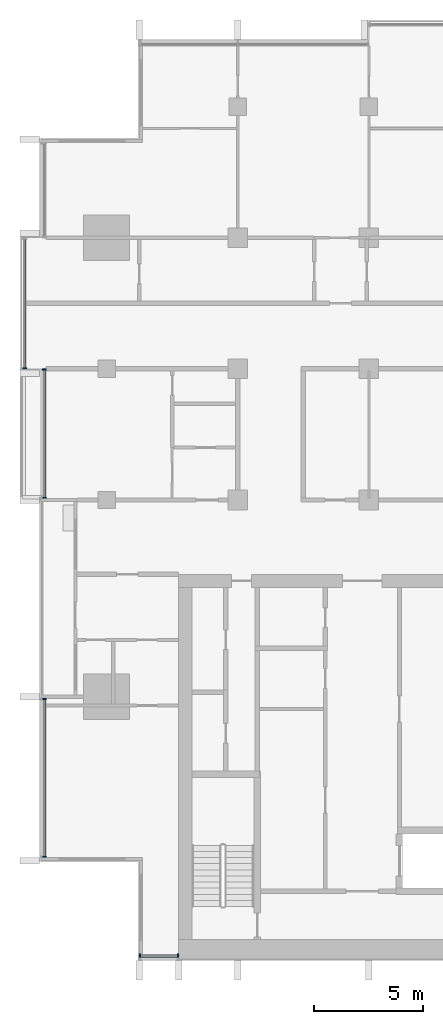
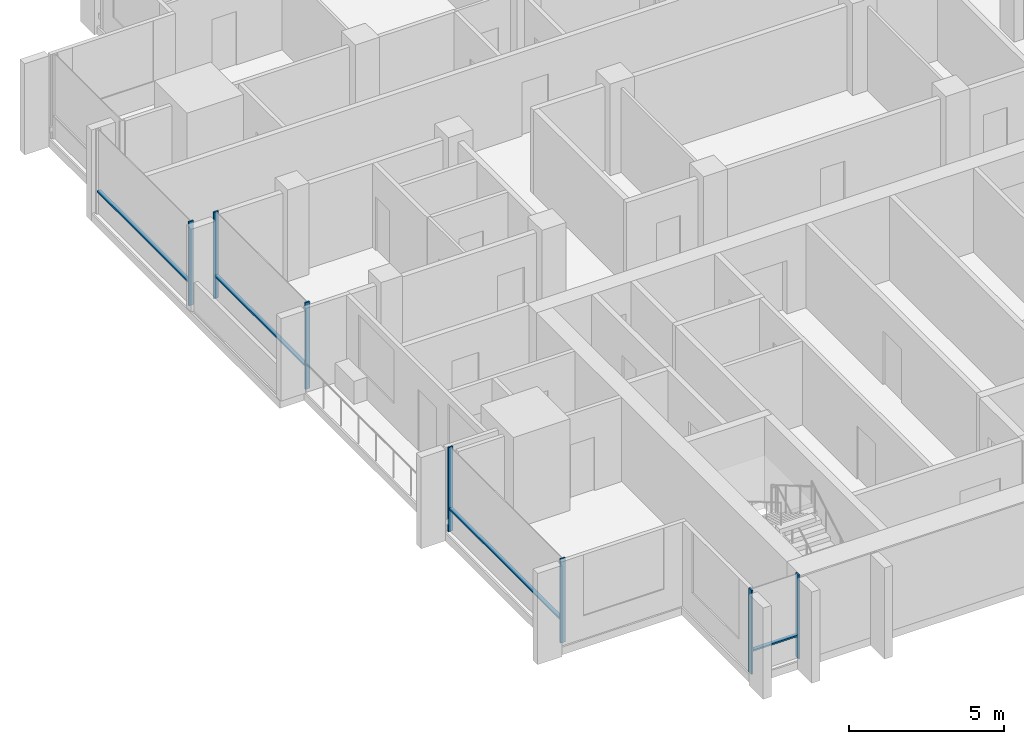
# One storey, part 2 of 16: 11 members, 4 elements without a shape of their own.
"""IFC4 building model written with IfcOpenShell, lengths in metres."""

from ifc_helpers import new_model, si_unit, direction, frame, origin, origin_2d, place, context, subcontext, project, spatial, rectangle, extrude, material, material_profile, profile_set, type_object, element, aggregate, save


model = new_model("IFC4")

# Units and contexts
model_context = context("Model", 3, precision=1e-05, world=origin(), true_north=direction((0.0, 1.0)))
body_context = subcontext(model_context, "Body", "Model", "MODEL_VIEW")
ifc_project = project(units=[si_unit("LENGTHUNIT", "METRE"), si_unit("AREAUNIT", "SQUARE_METRE"), si_unit("VOLUMEUNIT", "CUBIC_METRE"), si_unit("PLANEANGLEUNIT", "RADIAN"), si_unit("MASSUNIT", "GRAM", prefix="KILO")], contexts=[model_context])

# Site, building, storey
site_placement = place(None, origin())
site = spatial("IfcSite", under=ifc_project, at=site_placement, CompositionType="ELEMENT")
building_placement = place(site_placement, origin())
building = spatial("IfcBuilding", under=site, at=building_placement, Name="Finial Court Residences", CompositionType="ELEMENT")
storey_placement = place(building_placement, frame((0.0, 0.0, 230.300048828125)))
storey = spatial("IfcBuildingStorey", under=building, at=storey_placement, Name="L58", CompositionType="ELEMENT", Elevation=230.300048828125)

# Curtain wall, members
ifc_material = material(Name="Bronze anodised aluminium", Category="aluminium")
curtain_wall_type = type_object("IfcCurtainWallType", Name="Unitised curtain wall, upper zones", PredefinedType="NOTDEFINED", material=ifc_material)
curtain_wall_1_placement = place(storey_placement, origin())
curtain_wall_1 = element("IfcCurtainWall", 1, at=curtain_wall_1_placement, inside=storey, type_object=curtain_wall_type, Name="E-L58-CW-S7", PredefinedType="NOTDEFINED")
ifc_material_profile_1 = material_profile(ifc_material, rectangle(XDim=0.175048828125, YDim=0.06005859375, at=origin_2d()), Name="CW2 mullion 60 x 175")
ifc_profile_set_1 = profile_set([ifc_material_profile_1], Name="Bronze anodised aluminium")
member_type_1 = type_object("IfcMemberType", Name="CW2 mullion 60 x 175", PredefinedType="MULLION", material=ifc_profile_set_1)
member_1_placement = place(storey_placement, frame((-14.969970703125, -25.35009765625, 0.0), z_axis=(0.0, 0.0, 1.0), x_axis=(0.0, 1.0, 0.0)))
member_1 = element("IfcMember", 2, at=member_1_placement, type_object=member_type_1, Name="CW2 mullion 1", PredefinedType="MULLION", context=body_context, shape_type="SweptSolid", body=[
    extrude(rectangle(XDim=0.175048828125, YDim=0.06005859375, at=origin_2d()), origin(), (0.0, 0.0, 1.0), 3.300048828125),
])
member_2_placement = place(storey_placement, frame((-13.22998046875, -25.35009765625, 0.0), z_axis=(0.0, 0.0, 1.0), x_axis=(0.0, 1.0, 0.0)))
member_2 = element("IfcMember", 3, at=member_2_placement, type_object=member_type_1, Name="CW2 mullion 2", PredefinedType="MULLION", context=body_context, shape_type="SweptSolid", body=[
    extrude(rectangle(XDim=0.175048828125, YDim=0.06005859375, at=origin_2d()), origin(), (0.0, 0.0, 1.0), 3.300048828125),
])

curtain_wall_2_placement = place(storey_placement, origin())
curtain_wall_2 = element("IfcCurtainWall", 4, at=curtain_wall_2_placement, inside=storey, type_object=curtain_wall_type, Name="E-L58-CW-W9", PredefinedType="NOTDEFINED")
member_3_placement = place(storey_placement, frame((-19.35009765625, -20.820068359375, 0.0), z_axis=(0.0, 0.0, 1.0), x_axis=(-1.0, 0.0, 0.0)))
member_3 = element("IfcMember", 5, at=member_3_placement, type_object=member_type_1, Name="CW2 mullion 1", PredefinedType="MULLION", context=body_context, shape_type="SweptSolid", body=[
    extrude(rectangle(XDim=0.175048828125, YDim=0.06005859375, at=origin_2d()), origin(), (0.0, 0.0, 1.0), 3.300048828125),
])
member_4_placement = place(storey_placement, frame((-19.35009765625, -13.60498046875, 0.0), z_axis=(0.0, 0.0, 1.0), x_axis=(-1.0, 0.0, 0.0)))
member_4 = element("IfcMember", 6, at=member_4_placement, type_object=member_type_1, Name="CW2 mullion 2", PredefinedType="MULLION", context=body_context, shape_type="SweptSolid", body=[
    extrude(rectangle(XDim=0.175048828125, YDim=0.06005859375, at=origin_2d()), origin(), (0.0, 0.0, 1.0), 3.300048828125),
])

curtain_wall_3_placement = place(storey_placement, origin())
curtain_wall_3 = element("IfcCurtainWall", 7, at=curtain_wall_3_placement, inside=storey, type_object=curtain_wall_type, Name="E-L58-CW-W10", PredefinedType="NOTDEFINED")
member_5_placement = place(storey_placement, frame((-19.35009765625, -4.39501953125, 0.0), z_axis=(0.0, 0.0, 1.0), x_axis=(-1.0, 0.0, 0.0)))
member_5 = element("IfcMember", 8, at=member_5_placement, type_object=member_type_1, Name="CW2 mullion 1", PredefinedType="MULLION", context=body_context, shape_type="SweptSolid", body=[
    extrude(rectangle(XDim=0.175048828125, YDim=0.06005859375, at=origin_2d()), origin(), (0.0, 0.0, 1.0), 3.39990234375),
])
member_6_placement = place(storey_placement, frame((-19.35009765625, 1.469970703125, 0.0), z_axis=(0.0, 0.0, 1.0), x_axis=(-1.0, 0.0, 0.0)))
member_6 = element("IfcMember", 9, at=member_6_placement, type_object=member_type_1, Name="CW2 mullion 2", PredefinedType="MULLION", context=body_context, shape_type="SweptSolid", body=[
    extrude(rectangle(XDim=0.175048828125, YDim=0.06005859375, at=origin_2d()), origin(), (0.0, 0.0, 1.0), 3.39990234375),
])

# Curtain wall, member
curtain_wall_4_placement = place(storey_placement, origin())
curtain_wall_4 = element("IfcCurtainWall", 10, at=curtain_wall_4_placement, inside=storey, type_object=curtain_wall_type, Name="E-L58-CW-W11", PredefinedType="NOTDEFINED")
member_7_placement = place(storey_placement, frame((-20.25, 1.530029296875, 0.0), z_axis=(0.0, 0.0, 1.0), x_axis=(-1.0, 0.0, 0.0)))
member_7 = element("IfcMember", 11, at=member_7_placement, type_object=member_type_1, Name="CW2 mullion 1", PredefinedType="MULLION", context=body_context, shape_type="SweptSolid", body=[
    extrude(rectangle(XDim=0.175048828125, YDim=0.06005859375, at=origin_2d()), origin(), (0.0, 0.0, 1.0), 3.300048828125),
])

# Member
ifc_material_profile_2 = material_profile(ifc_material, rectangle(XDim=0.139892578125, YDim=0.06005859375, at=origin_2d()), Name="CW2 transom 60 x 140")
ifc_profile_set_2 = profile_set([ifc_material_profile_2], Name="Bronze anodised aluminium")
member_type_2 = type_object("IfcMemberType", Name="CW2 transom 60 x 140", PredefinedType="USERDEFINED", material=ifc_profile_set_2)
member_8_placement = place(storey_placement, frame((-14.93994140625, -25.35009765625, 0.89990234375), z_axis=(1.0, 0.0, 0.0), x_axis=(0.0, 1.0, 0.0)))
member_8 = element("IfcMember", 12, at=member_8_placement, type_object=member_type_2, Name="CW2 transom 1.1", ObjectType="TRANSOM", PredefinedType="USERDEFINED", context=body_context, shape_type="SweptSolid", body=[
    extrude(rectangle(XDim=0.139892578125, YDim=0.06005859375, at=origin_2d()), origin(), (0.0, 0.0, 1.0), 1.679931640625),
])

aggregate(curtain_wall_1, [member_1, member_2, member_8])

member_9_placement = place(storey_placement, frame((-19.35009765625, -20.7900390625, 0.89990234375), z_axis=(0.0, 1.0, 0.0), x_axis=(-1.0, 0.0, 0.0)))
member_9 = element("IfcMember", 13, at=member_9_placement, type_object=member_type_2, Name="CW2 transom 1.1", ObjectType="TRANSOM", PredefinedType="USERDEFINED", context=body_context, shape_type="SweptSolid", body=[
    extrude(rectangle(XDim=0.139892578125, YDim=0.06005859375, at=origin_2d()), origin(), (0.0, 0.0, 1.0), 7.155029296875),
])

aggregate(curtain_wall_2, [member_3, member_4, member_9])

member_10_placement = place(storey_placement, frame((-19.35009765625, -4.364990234375, 0.89990234375), z_axis=(0.0, 1.0, 0.0), x_axis=(-1.0, 0.0, 0.0)))
member_10 = element("IfcMember", 14, at=member_10_placement, type_object=member_type_2, Name="CW2 transom 1.1", ObjectType="TRANSOM", PredefinedType="USERDEFINED", context=body_context, shape_type="SweptSolid", body=[
    extrude(rectangle(XDim=0.139892578125, YDim=0.06005859375, at=origin_2d()), origin(), (0.0, 0.0, 1.0), 5.804931640625),
])

aggregate(curtain_wall_3, [member_5, member_6, member_10])

member_11_placement = place(storey_placement, frame((-20.25, 1.56005859375, 0.89990234375), z_axis=(0.0, 1.0, 0.0), x_axis=(-1.0, 0.0, 0.0)))
member_11 = element("IfcMember", 15, at=member_11_placement, type_object=member_type_2, Name="CW2 transom 1.1", ObjectType="TRANSOM", PredefinedType="USERDEFINED", context=body_context, shape_type="SweptSolid", body=[
    extrude(rectangle(XDim=0.139892578125, YDim=0.06005859375, at=origin_2d()), origin(), (0.0, 0.0, 1.0), 5.8798828125),
])

aggregate(curtain_wall_4, [member_7, member_11])

save(model, "model.ifc")
